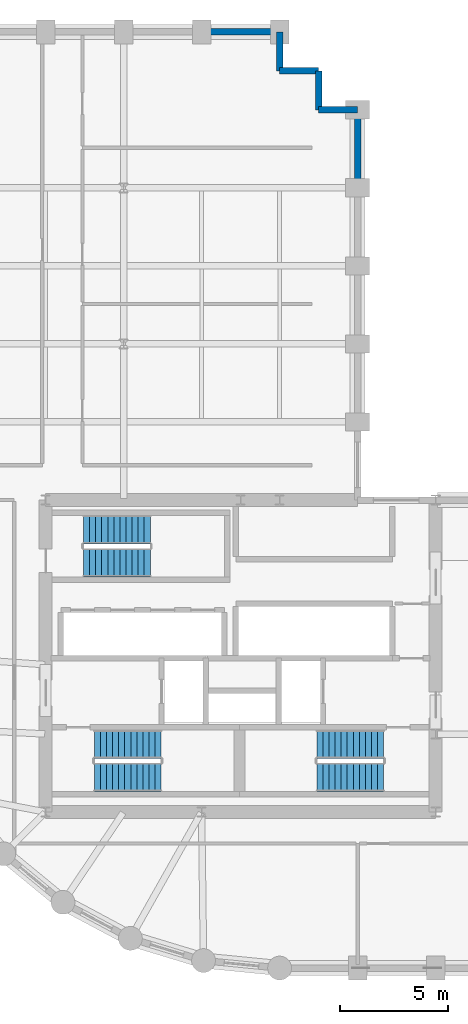
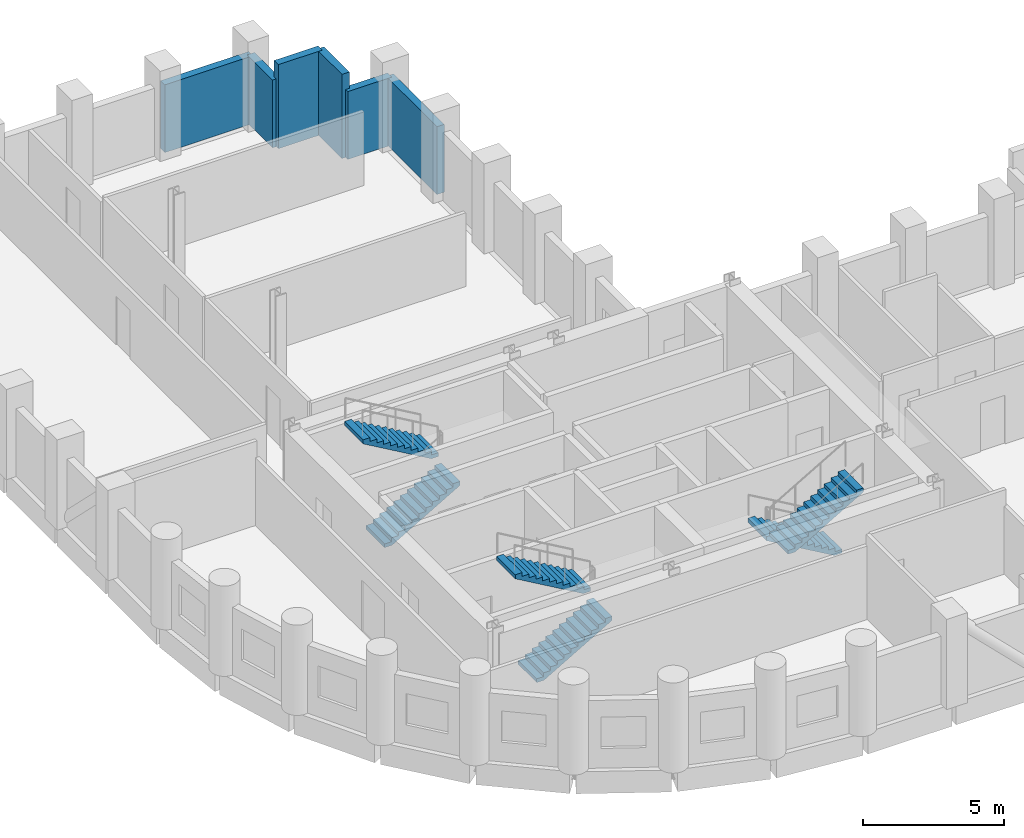
# One storey, part 6 of 8: 6 stair flights, 6 walls, 3 elements without a shape of their own.
"""IFC4 building model written with IfcOpenShell, lengths in metres."""

from ifc_helpers import new_model, si_unit, direction, frame, frame_2d, origin, place, context, subcontext, project, spatial, polyline, rectangle, outline, extrude, material, layer, layer_set, type_object, element, aggregate, save


model = new_model("IFC4")

# Units and contexts
model_context = context("Model", 3, precision=1e-05, world=origin(), true_north=direction((0.0, 1.0)))
body_context = subcontext(model_context, "Body", "Model", "MODEL_VIEW")
ifc_project = project(units=[si_unit("LENGTHUNIT", "METRE"), si_unit("AREAUNIT", "SQUARE_METRE"), si_unit("VOLUMEUNIT", "CUBIC_METRE"), si_unit("PLANEANGLEUNIT", "RADIAN"), si_unit("MASSUNIT", "GRAM", prefix="KILO")], contexts=[model_context])

# Site, building, storey
site_placement = place(None, origin())
site = spatial("IfcSite", under=ifc_project, at=site_placement, CompositionType="ELEMENT")
building_placement = place(site_placement, origin())
building = spatial("IfcBuilding", under=site, at=building_placement, Name="Solnavia Interchange Tower", CompositionType="ELEMENT")
storey_placement = place(building_placement, frame((0.0, 0.0, 107.39990234375)))
storey = spatial("IfcBuildingStorey", under=building, at=storey_placement, Name="L26", CompositionType="ELEMENT", Elevation=107.39990234375)

# Walls
ifc_material = material(Name="Concrete C40/50", Category="concrete")
ifc_layer = layer(ifc_material, 0.300048828125)
ifc_layer_set = layer_set([ifc_layer], Name="Concrete C40/50")
wall_type = type_object("IfcWallType", Name="Wall-ExtSpandrel-300", PredefinedType="STANDARD", material=ifc_layer_set)
wall_1_placement = place(storey_placement, frame((28.800048828125, 39.60009765625, 0.0), z_axis=(0.0, 0.0, 1.0), x_axis=(0.0, 1.0, 0.0)))
element("IfcWall", 1, at=wall_1_placement, inside=storey, type_object=wall_type, Name="EXW-L26-36 Exterior precast spandrel wall", PredefinedType="STANDARD", context=body_context, shape_type="SweptSolid", body=[
    extrude(rectangle(XDim=3.599853515625, YDim=0.300048828125, at=frame_2d((1.7998046875, 0.0))), origin(), (0.0, 0.0, 1.0), 2.93017578125),
])
wall_2_placement = place(storey_placement, frame((27.0, 43.199951171875, 0.0), z_axis=(0.0, 0.0, 1.0), x_axis=(1.0, 0.0, 0.0)))
element("IfcWall", 2, at=wall_2_placement, inside=storey, type_object=wall_type, Name="EXW-L26-37 Exterior precast spandrel wall", PredefinedType="STANDARD", context=body_context, shape_type="SweptSolid", body=[
    extrude(rectangle(XDim=1.800048828125, YDim=0.300048828125, at=frame_2d((0.89990234375, 0.0))), origin(), (0.0, 0.0, 1.0), 2.93017578125),
])
for number, where, z_axis, x_axis, name in (
    (3, (27.0, 43.199951171875, 0.0), (0.0, 0.0, 1.0), (0.0, 1.0, 0.0), "EXW-L26-38 Exterior precast spandrel wall"),
    (4, (25.199951171875, 45.0, 0.0), (0.0, 0.0, 1.0), (1.0, 0.0, 0.0), "EXW-L26-39 Exterior precast spandrel wall"),
):
    element("IfcWall", number, at=place(storey_placement, frame(where, z_axis=z_axis, x_axis=x_axis)), inside=storey, type_object=wall_type, Name=name, PredefinedType="STANDARD", context=body_context, shape_type="SweptSolid", body=[
        extrude(rectangle(XDim=1.800048828125, YDim=0.300048828125, at=frame_2d((0.89990234375, 0.0))), origin(), (0.0, 0.0, 1.0), 3.635009765625),
    ])
wall_3_placement = place(storey_placement, frame((25.199951171875, 45.0, 0.0), z_axis=(0.0, 0.0, 1.0), x_axis=(0.0, 1.0, 0.0)))
element("IfcWall", 5, at=wall_3_placement, inside=storey, type_object=wall_type, Name="EXW-L26-40 Exterior precast spandrel wall", PredefinedType="STANDARD", context=body_context, shape_type="SweptSolid", body=[
    extrude(rectangle(XDim=1.800048828125, YDim=0.300048828125, at=frame_2d((0.89990234375, 0.0))), origin(), (0.0, 0.0, 1.0), 2.93017578125),
])
wall_4_placement = place(storey_placement, frame((21.60009765625, 46.800048828125, 0.0), z_axis=(0.0, 0.0, 1.0), x_axis=(1.0, 0.0, 0.0)))
element("IfcWall", 6, at=wall_4_placement, inside=storey, type_object=wall_type, Name="EXW-L26-41 Exterior precast spandrel wall", PredefinedType="STANDARD", context=body_context, shape_type="SweptSolid", body=[
    extrude(rectangle(XDim=3.599853515625, YDim=0.300048828125, at=frame_2d((1.7998046875, 0.0))), origin(), (0.0, 0.0, 1.0), 2.93017578125),
])

# Stair, stair flights
stair_type = type_object("IfcStairType", Name="Stair-Dogleg-RC", PredefinedType="HALF_TURN_STAIR", material=ifc_material)
stair_1_placement = place(storey_placement, origin())
stair_1 = element("IfcStair", 7, at=stair_1_placement, inside=storey, type_object=stair_type, Name="L26 Core exit stair 1", PredefinedType="HALF_TURN_STAIR")
stair_flight_type = type_object("IfcStairFlightType", Name="StairFlight-RC-150", PredefinedType="STRAIGHT", material=ifc_material)
stair_flight_1_placement = place(storey_placement, frame((16.64990234375, 12.409912109375, 0.0), z_axis=(0.0, 0.0, 1.0), x_axis=(1.0, 0.0, 0.0)))
stair_flight_1 = element("IfcStairFlight", 8, at=stair_flight_1_placement, type_object=stair_flight_type, Name="ST-1 flight 1", NumberOfRisers=12, NumberOfTreads=11, PredefinedType="STRAIGHT", RiserHeight=0.1625, TreadLength=0.28, context=body_context, shape_type="SweptSolid", body=[
    extrude(outline(polyline([(0.0, 0.0), (0.0, 0.16259765625), (0.280029296875, 0.16259765625), (0.280029296875, 0.324951171875), (0.56005859375, 0.324951171875), (0.56005859375, 0.487548828125), (0.840087890625, 0.487548828125), (0.840087890625, 0.64990234375), (1.1201171875, 0.64990234375), (1.1201171875, 0.8125), (1.39990234375, 0.8125), (1.39990234375, 0.97509765625), (1.679931640625, 0.97509765625), (1.679931640625, 1.137451171875), (1.9599609375, 1.137451171875), (1.9599609375, 1.300048828125), (2.239990234375, 1.300048828125), (2.239990234375, 1.46240234375), (2.52001953125, 1.46240234375), (2.52001953125, 1.625), (2.800048828125, 1.625), (2.800048828125, 1.78759765625), (3.080078125, 1.78759765625), (3.080078125, 1.949951171875), (3.080078125, 1.6142578125), (0.298583984375, 0.0), (0.0, 0.0)])), frame((0.0, 0.66015625, 0.0), z_axis=(0.0, -1.0, 0.0), x_axis=(1.0, 0.0, 0.0)), (0.0, 0.0, 1.0), 1.320068359375),
])
stair_flight_2_placement = place(storey_placement, frame((19.72998046875, 13.929931640625, 1.9501953125), z_axis=(0.0, 0.0, 1.0), x_axis=(-1.0, 0.0, 0.0)))
stair_flight_2 = element("IfcStairFlight", 9, at=stair_flight_2_placement, type_object=stair_flight_type, Name="ST-1 flight 2", NumberOfRisers=12, NumberOfTreads=11, PredefinedType="STRAIGHT", RiserHeight=0.1625, TreadLength=0.28, context=body_context, shape_type="SweptSolid", body=[
    extrude(outline(polyline([(0.0, 0.0), (0.0, 0.16259765625), (0.280029296875, 0.16259765625), (0.280029296875, 0.324951171875), (0.56005859375, 0.324951171875), (0.56005859375, 0.487548828125), (0.840087890625, 0.487548828125), (0.840087890625, 0.64990234375), (1.1201171875, 0.64990234375), (1.1201171875, 0.8125), (1.39990234375, 0.8125), (1.39990234375, 0.97509765625), (1.679931640625, 0.97509765625), (1.679931640625, 1.137451171875), (1.9599609375, 1.137451171875), (1.9599609375, 1.300048828125), (2.239990234375, 1.300048828125), (2.239990234375, 1.46240234375), (2.52001953125, 1.46240234375), (2.52001953125, 1.625), (2.800048828125, 1.625), (2.800048828125, 1.78759765625), (3.080078125, 1.78759765625), (3.080078125, 1.949951171875), (3.080078125, 1.6142578125), (0.298583984375, 0.0), (0.0, 0.0)])), frame((0.0, 0.66015625, 0.0), z_axis=(0.0, -1.0, 0.0), x_axis=(1.0, 0.0, 0.0)), (0.0, 0.0, 1.0), 1.320068359375),
])
aggregate(stair_1, [stair_flight_1, stair_flight_2])

stair_2_placement = place(storey_placement, origin())
stair_2 = element("IfcStair", 10, at=stair_2_placement, inside=storey, type_object=stair_type, Name="L26 Core exit stair 2", PredefinedType="HALF_TURN_STAIR")
stair_flight_3_placement = place(storey_placement, frame((30.0, 13.929931640625, 0.0), z_axis=(0.0, 0.0, 1.0), x_axis=(-1.0, 0.0, 0.0)))
stair_flight_3 = element("IfcStairFlight", 11, at=stair_flight_3_placement, type_object=stair_flight_type, Name="ST-2 flight 1", NumberOfRisers=12, NumberOfTreads=11, PredefinedType="STRAIGHT", RiserHeight=0.1625, TreadLength=0.28, context=body_context, shape_type="SweptSolid", body=[
    extrude(outline(polyline([(0.0, 0.0), (0.0, 0.16259765625), (0.280029296875, 0.16259765625), (0.280029296875, 0.324951171875), (0.56005859375, 0.324951171875), (0.56005859375, 0.487548828125), (0.840087890625, 0.487548828125), (0.840087890625, 0.64990234375), (1.1201171875, 0.64990234375), (1.1201171875, 0.8125), (1.39990234375, 0.8125), (1.39990234375, 0.97509765625), (1.679931640625, 0.97509765625), (1.679931640625, 1.137451171875), (1.9599609375, 1.137451171875), (1.9599609375, 1.300048828125), (2.239990234375, 1.300048828125), (2.239990234375, 1.46240234375), (2.52001953125, 1.46240234375), (2.52001953125, 1.625), (2.800048828125, 1.625), (2.800048828125, 1.78759765625), (3.080078125, 1.78759765625), (3.080078125, 1.949951171875), (3.080078125, 1.6142578125), (0.298583984375, 0.0), (0.0, 0.0)])), frame((0.0, 0.66015625, 0.0), z_axis=(0.0, -1.0, 0.0), x_axis=(1.0, 0.0, 0.0)), (0.0, 0.0, 1.0), 1.320068359375),
])
stair_flight_4_placement = place(storey_placement, frame((26.919921875, 12.409912109375, 1.9501953125), z_axis=(0.0, 0.0, 1.0), x_axis=(1.0, 0.0, 0.0)))
stair_flight_4 = element("IfcStairFlight", 12, at=stair_flight_4_placement, type_object=stair_flight_type, Name="ST-2 flight 2", NumberOfRisers=12, NumberOfTreads=11, PredefinedType="STRAIGHT", RiserHeight=0.1625, TreadLength=0.28, context=body_context, shape_type="SweptSolid", body=[
    extrude(outline(polyline([(0.0, 0.0), (0.0, 0.16259765625), (0.280029296875, 0.16259765625), (0.280029296875, 0.324951171875), (0.56005859375, 0.324951171875), (0.56005859375, 0.487548828125), (0.840087890625, 0.487548828125), (0.840087890625, 0.64990234375), (1.1201171875, 0.64990234375), (1.1201171875, 0.8125), (1.39990234375, 0.8125), (1.39990234375, 0.97509765625), (1.679931640625, 0.97509765625), (1.679931640625, 1.137451171875), (1.9599609375, 1.137451171875), (1.9599609375, 1.300048828125), (2.239990234375, 1.300048828125), (2.239990234375, 1.46240234375), (2.52001953125, 1.46240234375), (2.52001953125, 1.625), (2.800048828125, 1.625), (2.800048828125, 1.78759765625), (3.080078125, 1.78759765625), (3.080078125, 1.949951171875), (3.080078125, 1.6142578125), (0.298583984375, 0.0), (0.0, 0.0)])), frame((0.0, 0.66015625, 0.0), z_axis=(0.0, -1.0, 0.0), x_axis=(1.0, 0.0, 0.0)), (0.0, 0.0, 1.0), 1.320068359375),
])
aggregate(stair_2, [stair_flight_3, stair_flight_4])

stair_3_placement = place(storey_placement, origin())
stair_3 = element("IfcStair", 13, at=stair_3_placement, inside=storey, type_object=stair_type, Name="L26 Core exit stair 3", PredefinedType="HALF_TURN_STAIR")
stair_flight_5_placement = place(storey_placement, frame((16.14990234375, 22.31005859375, 0.0), z_axis=(0.0, 0.0, 1.0), x_axis=(1.0, 0.0, 0.0)))
stair_flight_5 = element("IfcStairFlight", 14, at=stair_flight_5_placement, type_object=stair_flight_type, Name="ST-3 flight 1", NumberOfRisers=12, NumberOfTreads=11, PredefinedType="STRAIGHT", RiserHeight=0.1625, TreadLength=0.28, context=body_context, shape_type="SweptSolid", body=[
    extrude(outline(polyline([(0.0, 0.0), (0.0, 0.16259765625), (0.280029296875, 0.16259765625), (0.280029296875, 0.324951171875), (0.56005859375, 0.324951171875), (0.56005859375, 0.487548828125), (0.840087890625, 0.487548828125), (0.840087890625, 0.64990234375), (1.1201171875, 0.64990234375), (1.1201171875, 0.8125), (1.39990234375, 0.8125), (1.39990234375, 0.97509765625), (1.679931640625, 0.97509765625), (1.679931640625, 1.137451171875), (1.9599609375, 1.137451171875), (1.9599609375, 1.300048828125), (2.239990234375, 1.300048828125), (2.239990234375, 1.46240234375), (2.52001953125, 1.46240234375), (2.52001953125, 1.625), (2.800048828125, 1.625), (2.800048828125, 1.78759765625), (3.080078125, 1.78759765625), (3.080078125, 1.949951171875), (3.080078125, 1.6142578125), (0.298583984375, 0.0), (0.0, 0.0)])), frame((0.0, 0.66015625, 0.0), z_axis=(0.0, -1.0, 0.0), x_axis=(1.0, 0.0, 0.0)), (0.0, 0.0, 1.0), 1.320068359375),
])
stair_flight_6_placement = place(storey_placement, frame((19.22998046875, 23.830078125, 1.9501953125), z_axis=(0.0, 0.0, 1.0), x_axis=(-1.0, 0.0, 0.0)))
stair_flight_6 = element("IfcStairFlight", 15, at=stair_flight_6_placement, type_object=stair_flight_type, Name="ST-3 flight 2", NumberOfRisers=12, NumberOfTreads=11, PredefinedType="STRAIGHT", RiserHeight=0.1625, TreadLength=0.28, context=body_context, shape_type="SweptSolid", body=[
    extrude(outline(polyline([(0.0, 0.0), (0.0, 0.16259765625), (0.280029296875, 0.16259765625), (0.280029296875, 0.324951171875), (0.56005859375, 0.324951171875), (0.56005859375, 0.487548828125), (0.840087890625, 0.487548828125), (0.840087890625, 0.64990234375), (1.1201171875, 0.64990234375), (1.1201171875, 0.8125), (1.39990234375, 0.8125), (1.39990234375, 0.97509765625), (1.679931640625, 0.97509765625), (1.679931640625, 1.137451171875), (1.9599609375, 1.137451171875), (1.9599609375, 1.300048828125), (2.239990234375, 1.300048828125), (2.239990234375, 1.46240234375), (2.52001953125, 1.46240234375), (2.52001953125, 1.625), (2.800048828125, 1.625), (2.800048828125, 1.78759765625), (3.080078125, 1.78759765625), (3.080078125, 1.949951171875), (3.080078125, 1.6142578125), (0.298583984375, 0.0), (0.0, 0.0)])), frame((0.0, 0.66015625, 0.0), z_axis=(0.0, -1.0, 0.0), x_axis=(1.0, 0.0, 0.0)), (0.0, 0.0, 1.0), 1.320068359375),
])
aggregate(stair_3, [stair_flight_5, stair_flight_6])

save(model, "model.ifc")
